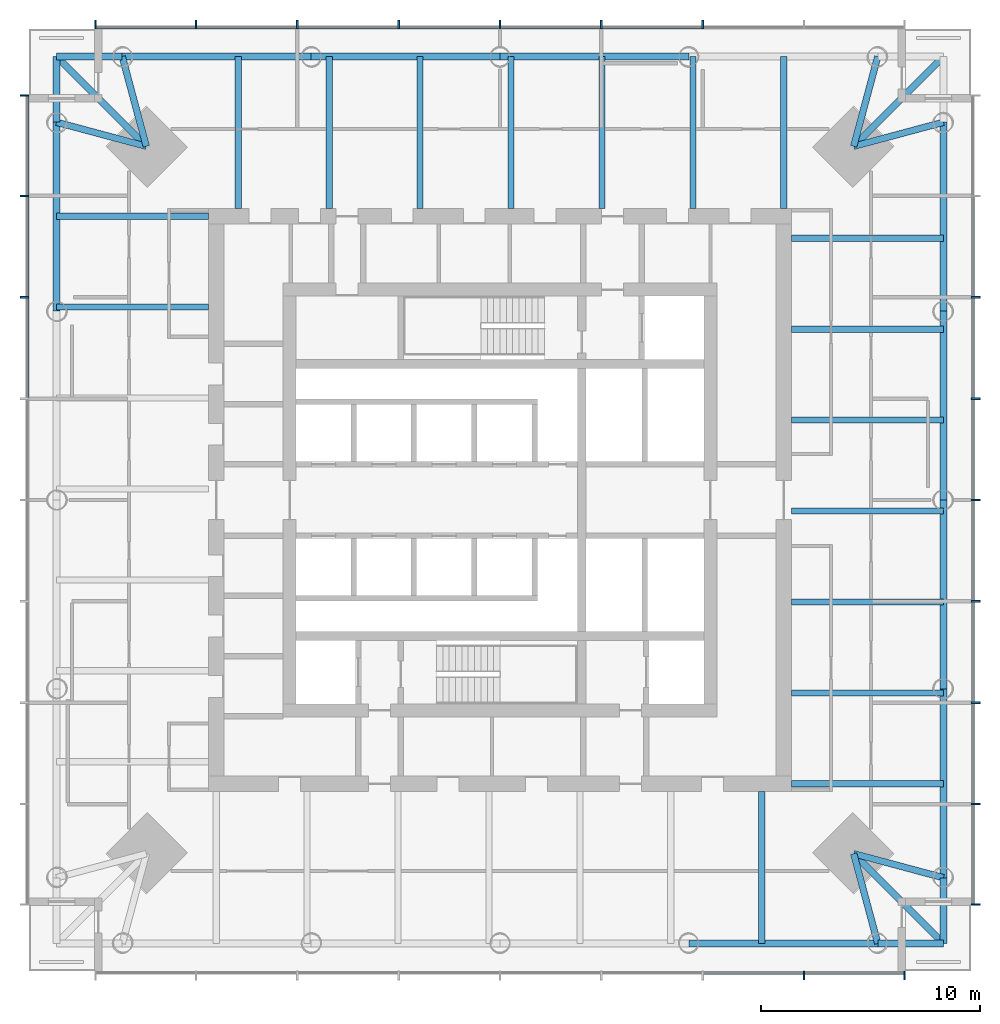
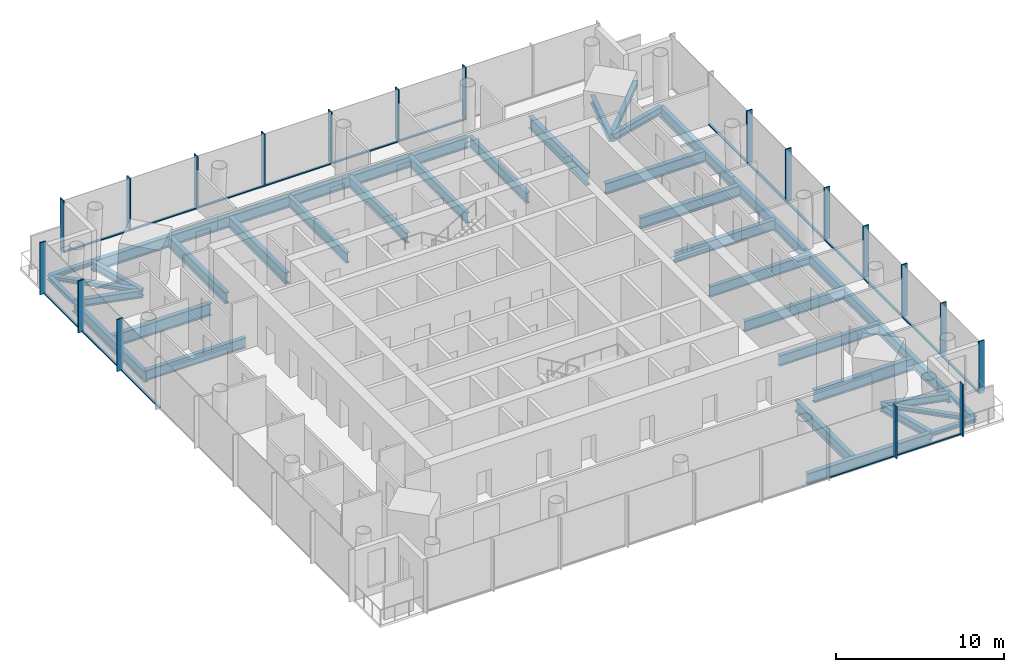
# One storey, part 2 of 9: 39 beams, 37 members, 4 elements without a shape of their own.
"""IFC4 building model written with IfcOpenShell, lengths in metres."""

from ifc_helpers import new_model, si_unit, direction, frame, origin, origin_2d, place, context, subcontext, project, spatial, rectangle, i_section, extrude, material, material_profile, profile_set, type_object, element, aggregate, save


model = new_model("IFC4")

# Units and contexts
model_context = context("Model", 3, precision=1e-05, world=origin(), true_north=direction((0.0, 1.0)))
body_context = subcontext(model_context, "Body", "Model", "MODEL_VIEW")
ifc_project = project(units=[si_unit("LENGTHUNIT", "METRE"), si_unit("AREAUNIT", "SQUARE_METRE"), si_unit("VOLUMEUNIT", "CUBIC_METRE"), si_unit("PLANEANGLEUNIT", "RADIAN"), si_unit("MASSUNIT", "GRAM", prefix="KILO")], contexts=[model_context])

# Site, building, storey
site_placement = place(None, origin())
site = spatial("IfcSite", under=ifc_project, at=site_placement, CompositionType="ELEMENT")
building_placement = place(site_placement, origin())
building = spatial("IfcBuilding", under=site, at=building_placement, Name="Ostroluk Exchange", CompositionType="ELEMENT")
storey_placement = place(building_placement, frame((0.0, 0.0, 138.800048828125)))
storey = spatial("IfcBuildingStorey", under=building, at=storey_placement, Name="L35", CompositionType="ELEMENT", Elevation=138.800048828125)

# Beams
ifc_material_1 = material(Name="Steel S355", Category="steel")
ifc_material_profile_1 = material_profile(ifc_material_1, i_section(OverallWidth=0.300048828125, OverallDepth=0.300048828125, WebThickness=0.010986328125, FlangeThickness=0.01904296875, FilletRadius=0.027099609375, at=origin_2d()), Name="HEB 300")
ifc_profile_set_1 = profile_set([ifc_material_profile_1], Name="Steel S355")
beam_type_1 = type_object("IfcBeamType", Name="Balcony beam HEB 300", PredefinedType="BEAM", material=ifc_profile_set_1)
beam_1_placement = place(storey_placement, frame((61.1357421875, 62.1357421875, -0.330078125), z_axis=(0.707106781187, 0.707106781187, 0.0), x_axis=(-0.707106781187, 0.707106781187, 0.0)))
element("IfcBeam", 1, at=beam_1_placement, inside=storey, type_object=beam_type_1, Name="T1 east balcony beam c", PredefinedType="BEAM", context=body_context, shape_type="SweptSolid", body=[
    extrude(i_section(OverallWidth=0.300048828125, OverallDepth=0.300048828125, WebThickness=0.010986328125, FlangeThickness=0.01904296875, FilletRadius=0.027099609375, at=origin_2d()), origin(), (0.0, 0.0, 1.0), 5.798095703125),
])
for number, where, z_axis, x_axis, name in (
    (2, (27.764404296875, 66.235595703125, -0.330078125), (-1.0, 0.0, 0.0), (0.0, -1.0, 0.0), "T1 north balcony beam a"),
    (3, (24.764404296875, 63.235595703125, -0.330078125), (0.0, 1.0, 0.0), (-1.0, 0.0, 0.0), "T1 north balcony beam b"),
):
    element("IfcBeam", number, at=place(storey_placement, frame(where, z_axis=z_axis, x_axis=x_axis)), inside=storey, type_object=beam_type_1, Name=name, PredefinedType="BEAM", context=body_context, shape_type="SweptSolid", body=[
        extrude(i_section(OverallWidth=0.300048828125, OverallDepth=0.300048828125, WebThickness=0.010986328125, FlangeThickness=0.01904296875, FilletRadius=0.027099609375, at=origin_2d()), origin(), (0.0, 0.0, 1.0), 3.0),
    ])
beam_2_placement = place(storey_placement, frame((28.8642578125, 62.1357421875, -0.330078125), z_axis=(-0.707106781187, 0.707106781187, 0.0), x_axis=(-0.707106781187, -0.707106781187, 0.0)))
element("IfcBeam", 4, at=beam_2_placement, inside=storey, type_object=beam_type_1, Name="T1 north balcony beam c", PredefinedType="BEAM", context=body_context, shape_type="SweptSolid", body=[
    extrude(i_section(OverallWidth=0.300048828125, OverallDepth=0.300048828125, WebThickness=0.010986328125, FlangeThickness=0.01904296875, FilletRadius=0.027099609375, at=origin_2d()), origin(), (0.0, 0.0, 1.0), 5.798095703125),
])
for number, where, z_axis, x_axis, name in (
    (5, (62.235595703125, 25.764404296875, -0.330078125), (1.0, 0.0, 0.0), (0.0, 1.0, 0.0), "T1 south balcony beam a"),
    (6, (65.235595703125, 28.764404296875, -0.330078125), (0.0, -1.0, 0.0), (1.0, 0.0, 0.0), "T1 south balcony beam b"),
):
    element("IfcBeam", number, at=place(storey_placement, frame(where, z_axis=z_axis, x_axis=x_axis)), inside=storey, type_object=beam_type_1, Name=name, PredefinedType="BEAM", context=body_context, shape_type="SweptSolid", body=[
        extrude(i_section(OverallWidth=0.300048828125, OverallDepth=0.300048828125, WebThickness=0.010986328125, FlangeThickness=0.01904296875, FilletRadius=0.027099609375, at=origin_2d()), origin(), (0.0, 0.0, 1.0), 3.0),
    ])
beam_3_placement = place(storey_placement, frame((61.1357421875, 29.8642578125, -0.330078125), z_axis=(0.707106781187, -0.707106781187, 0.0), x_axis=(0.707106781187, 0.707106781187, 0.0)))
element("IfcBeam", 7, at=beam_3_placement, inside=storey, type_object=beam_type_1, Name="T1 south balcony beam c", PredefinedType="BEAM", context=body_context, shape_type="SweptSolid", body=[
    extrude(i_section(OverallWidth=0.300048828125, OverallDepth=0.300048828125, WebThickness=0.010986328125, FlangeThickness=0.01904296875, FilletRadius=0.027099609375, at=origin_2d()), origin(), (0.0, 0.0, 1.0), 5.798095703125),
])
ifc_material_2 = material(Name="Steel S355", Category="steel")
ifc_material_profile_2 = material_profile(ifc_material_2, i_section(OverallWidth=0.300048828125, OverallDepth=0.550048828125, WebThickness=0.014892578125, FlangeThickness=0.029052734375, FilletRadius=0.027099609375, at=origin_2d()), Name="HEB 550")
ifc_profile_set_2 = profile_set([ifc_material_profile_2], Name="Steel S355")
beam_type_2 = type_object("IfcBeamType", Name="Corner edge beam HEB 550", PredefinedType="SPANDREL", material=ifc_profile_set_2)
for number, where, z_axis, x_axis, name in (
    (8, (61.1357421875, 62.1357421875, -0.455078125), (0.965849156574, 0.259105011038, 0.0), (-0.259105011038, 0.965849156574, 0.0), "T1 east corner edge beam a"),
    (9, (61.1357421875, 62.1357421875, -0.455078125), (0.259105011038, 0.965849156574, 0.0), (-0.965849156574, 0.259105011038, 0.0), "T1 east corner edge beam b"),
    (10, (28.8642578125, 62.1357421875, -0.455078125), (-0.259105011038, 0.965849156574, 0.0), (-0.965849156574, -0.259105011038, 0.0), "T1 north corner edge beam a"),
    (11, (28.8642578125, 62.1357421875, -0.455078125), (-0.965849156574, 0.259105011038, 0.0), (-0.259105011038, -0.965849156574, 0.0), "T1 north corner edge beam b"),
    (12, (61.1357421875, 29.8642578125, -0.455078125), (0.259105011038, -0.965849156574, 0.0), (0.965849156574, 0.259105011038, 0.0), "T1 south corner edge beam a"),
    (13, (61.1357421875, 29.8642578125, -0.455078125), (0.965849156574, -0.259105011038, 0.0), (0.259105011038, 0.965849156574, 0.0), "T1 south corner edge beam b"),
):
    element("IfcBeam", number, at=place(storey_placement, frame(where, z_axis=z_axis, x_axis=x_axis)), inside=storey, type_object=beam_type_2, Name=name, PredefinedType="SPANDREL", context=body_context, shape_type="SweptSolid", body=[
        extrude(i_section(OverallWidth=0.300048828125, OverallDepth=0.550048828125, WebThickness=0.014892578125, FlangeThickness=0.029052734375, FilletRadius=0.027099609375, at=origin_2d()), origin(), (0.0, 0.0, 1.0), 4.244873046875),
    ])
ifc_material_3 = material(Name="Steel S355", Category="steel")
ifc_material_profile_3 = material_profile(ifc_material_3, i_section(OverallWidth=0.302978515625, OverallDepth=0.81396484375, WebThickness=0.02099609375, FlangeThickness=0.0400390625, FilletRadius=0.030029296875, at=origin_2d()), Name="HEM 800")
ifc_profile_set_3 = profile_set([ifc_material_profile_3], Name="Steel S355")
beam_type_3 = type_object("IfcBeamType", Name="Floor beam HEM 800", PredefinedType="BEAM", material=ifc_profile_set_3)
for number, where, z_axis, x_axis, name in (
    (14, (58.300048828125, 53.791015625, -0.587158203125), (1.0, 0.0, 0.0), (0.0, 1.0, 0.0), "T1 east floor beam 5"),
    (15, (58.300048828125, 57.939208984375, -0.587158203125), (1.0, 0.0, 0.0), (0.0, 1.0, 0.0), "T1 east floor beam 6"),
    (16, (37.208984375, 59.300048828125, -0.587158203125), (0.0, 1.0, 0.0), (-1.0, 0.0, 0.0), "T1 north floor beam 5"),
    (17, (33.060791015625, 59.300048828125, -0.587158203125), (0.0, 1.0, 0.0), (-1.0, 0.0, 0.0), "T1 north floor beam 6"),
    (18, (56.939208984375, 32.699951171875, -0.587158203125), (0.0, -1.0, 0.0), (1.0, 0.0, 0.0), "T1 south floor beam 6"),
):
    element("IfcBeam", number, at=place(storey_placement, frame(where, z_axis=z_axis, x_axis=x_axis)), inside=storey, type_object=beam_type_3, Name=name, PredefinedType="BEAM", context=body_context, shape_type="SweptSolid", body=[
        extrude(i_section(OverallWidth=0.302978515625, OverallDepth=0.81396484375, WebThickness=0.02099609375, FlangeThickness=0.0400390625, FilletRadius=0.030029296875, at=origin_2d()), origin(), (0.0, 0.0, 1.0), 6.935546875),
    ])
ifc_material_4 = material(Name="Steel S355", Category="steel")
ifc_material_profile_4 = material_profile(ifc_material_4, i_section(OverallWidth=0.26708984375, OverallDepth=0.761962890625, WebThickness=0.014404296875, FlangeThickness=0.021484375, FilletRadius=0.01708984375, at=origin_2d()), Name="IPE 750x173")
ifc_profile_set_4 = profile_set([ifc_material_profile_4], Name="Steel S355")
beam_type_4 = type_object("IfcBeamType", Name="Floor beam IPE 750x173", PredefinedType="BEAM", material=ifc_profile_set_4)
for number, where, z_axis, x_axis, name in (
    (19, (58.300048828125, 37.1982421875, -0.56103515625), (1.0, 0.0, 0.0), (0.0, 1.0, 0.0), "T1 east floor beam 1"),
    (20, (58.300048828125, 41.346435546875, -0.56103515625), (1.0, 0.0, 0.0), (0.0, 1.0, 0.0), "T1 east floor beam 2"),
    (21, (58.300048828125, 45.49462890625, -0.56103515625), (1.0, 0.0, 0.0), (0.0, 1.0, 0.0), "T1 east floor beam 3"),
    (22, (58.300048828125, 49.642822265625, -0.56103515625), (1.0, 0.0, 0.0), (0.0, 1.0, 0.0), "T1 east floor beam 4"),
    (23, (53.8017578125, 59.300048828125, -0.56103515625), (0.0, 1.0, 0.0), (-1.0, 0.0, 0.0), "T1 north floor beam 1"),
    (24, (49.653564453125, 59.300048828125, -0.56103515625), (0.0, 1.0, 0.0), (-1.0, 0.0, 0.0), "T1 north floor beam 2"),
    (25, (45.50537109375, 59.300048828125, -0.56103515625), (0.0, 1.0, 0.0), (-1.0, 0.0, 0.0), "T1 north floor beam 3"),
    (26, (41.357177734375, 59.300048828125, -0.56103515625), (0.0, 1.0, 0.0), (-1.0, 0.0, 0.0), "T1 north floor beam 4"),
    (27, (31.699951171875, 54.8017578125, -0.56103515625), (-1.0, 0.0, 0.0), (0.0, -1.0, 0.0), "T1 west floor beam 1"),
):
    element("IfcBeam", number, at=place(storey_placement, frame(where, z_axis=z_axis, x_axis=x_axis)), inside=storey, type_object=beam_type_4, Name=name, PredefinedType="BEAM", context=body_context, shape_type="SweptSolid", body=[
        extrude(i_section(OverallWidth=0.26708984375, OverallDepth=0.761962890625, WebThickness=0.014404296875, FlangeThickness=0.021484375, FilletRadius=0.01708984375, at=origin_2d()), origin(), (0.0, 0.0, 1.0), 6.935546875),
    ])
ifc_material_5 = material(Name="Steel S355", Category="steel")
ifc_material_profile_5 = material_profile(ifc_material_5, i_section(OverallWidth=0.300048828125, OverallDepth=0.89990234375, WebThickness=0.0185546875, FlangeThickness=0.034912109375, FilletRadius=0.030029296875, at=origin_2d()), Name="HEB 900")
ifc_profile_set_5 = profile_set([ifc_material_profile_5], Name="Steel S355")
beam_type_5 = type_object("IfcBeamType", Name="Girder HEB 900", PredefinedType="BEAM", material=ifc_profile_set_5)
for number, where, z_axis, x_axis, name in (
    (28, (57.949951171875, 59.300048828125, -0.630126953125), (0.0, 1.0, 0.0), (-1.0, 0.0, 0.0), "T1 east girder"),
    (29, (31.699951171875, 58.949951171875, -0.630126953125), (-1.0, 0.0, 0.0), (0.0, -1.0, 0.0), "T1 north girder"),
    (30, (58.300048828125, 33.050048828125, -0.630126953125), (1.0, 0.0, 0.0), (0.0, 1.0, 0.0), "T1 south girder"),
):
    element("IfcBeam", number, at=place(storey_placement, frame(where, z_axis=z_axis, x_axis=x_axis)), inside=storey, type_object=beam_type_5, Name=name, PredefinedType="BEAM", context=body_context, shape_type="SweptSolid", body=[
        extrude(i_section(OverallWidth=0.300048828125, OverallDepth=0.89990234375, WebThickness=0.0185546875, FlangeThickness=0.034912109375, FilletRadius=0.030029296875, at=origin_2d()), origin(), (0.0, 0.0, 1.0), 6.935546875),
    ])
ifc_material_6 = material(Name="Steel S355", Category="steel")
ifc_material_profile_6 = material_profile(ifc_material_6, i_section(OverallWidth=0.300048828125, OverallDepth=0.800048828125, WebThickness=0.017578125, FlangeThickness=0.032958984375, FilletRadius=0.030029296875, at=origin_2d()), Name="HEB 800")
ifc_profile_set_6 = profile_set([ifc_material_profile_6], Name="Steel S355")
beam_type_6 = type_object("IfcBeamType", Name="Moment-connected edge beam HEB 800", PredefinedType="SPANDREL", material=ifc_profile_set_6)
beam_4_placement = place(storey_placement, frame((65.235595703125, 28.764404296875, -0.580078125), z_axis=(0.0, 1.0, 0.0), x_axis=(-1.0, 0.0, 0.0)))
element("IfcBeam", 31, at=beam_4_placement, inside=storey, type_object=beam_type_6, Name="T1 east edge beam 1", PredefinedType="SPANDREL", context=body_context, shape_type="SweptSolid", body=[
    extrude(i_section(OverallWidth=0.300048828125, OverallDepth=0.800048828125, WebThickness=0.017578125, FlangeThickness=0.032958984375, FilletRadius=0.030029296875, at=origin_2d()), origin(), (0.0, 0.0, 1.0), 8.61767578125),
])
for number, where, z_axis, x_axis, name in (
    (32, (65.235595703125, 37.382080078125, -0.580078125), (0.0, 1.0, 0.0), (-1.0, 0.0, 0.0), "T1 east edge beam 2"),
    (33, (65.235595703125, 46.0, -0.580078125), (0.0, 1.0, 0.0), (-1.0, 0.0, 0.0), "T1 east edge beam 3"),
):
    element("IfcBeam", number, at=place(storey_placement, frame(where, z_axis=z_axis, x_axis=x_axis)), inside=storey, type_object=beam_type_6, Name=name, PredefinedType="SPANDREL", context=body_context, shape_type="SweptSolid", body=[
        extrude(i_section(OverallWidth=0.300048828125, OverallDepth=0.800048828125, WebThickness=0.017578125, FlangeThickness=0.032958984375, FilletRadius=0.030029296875, at=origin_2d()), origin(), (0.0, 0.0, 1.0), 8.617919921875),
    ])
beam_5_placement = place(storey_placement, frame((65.235595703125, 54.617919921875, -0.580078125), z_axis=(0.0, 1.0, 0.0), x_axis=(-1.0, 0.0, 0.0)))
element("IfcBeam", 34, at=beam_5_placement, inside=storey, type_object=beam_type_6, Name="T1 east edge beam 4", PredefinedType="SPANDREL", context=body_context, shape_type="SweptSolid", body=[
    extrude(i_section(OverallWidth=0.300048828125, OverallDepth=0.800048828125, WebThickness=0.017578125, FlangeThickness=0.032958984375, FilletRadius=0.030029296875, at=origin_2d()), origin(), (0.0, 0.0, 1.0), 8.61767578125),
])
for number, where, z_axis, x_axis, name in (
    (35, (53.617919921875, 66.235595703125, -0.580078125), (-1.0, 0.0, 0.0), (0.0, -1.0, 0.0), "T1 north edge beam 2"),
    (36, (45.0, 66.235595703125, -0.580078125), (-1.0, 0.0, 0.0), (0.0, -1.0, 0.0), "T1 north edge beam 3"),
):
    element("IfcBeam", number, at=place(storey_placement, frame(where, z_axis=z_axis, x_axis=x_axis)), inside=storey, type_object=beam_type_6, Name=name, PredefinedType="SPANDREL", context=body_context, shape_type="SweptSolid", body=[
        extrude(i_section(OverallWidth=0.300048828125, OverallDepth=0.800048828125, WebThickness=0.017578125, FlangeThickness=0.032958984375, FilletRadius=0.030029296875, at=origin_2d()), origin(), (0.0, 0.0, 1.0), 8.617919921875),
    ])
for number, where, z_axis, x_axis, name in (
    (37, (36.382080078125, 66.235595703125, -0.580078125), (-1.0, 0.0, 0.0), (0.0, -1.0, 0.0), "T1 north edge beam 4"),
    (38, (24.764404296875, 63.235595703125, -0.580078125), (0.0, -1.0, 0.0), (1.0, 0.0, 0.0), "T1 west edge beam 1"),
    (39, (53.617919921875, 25.764404296875, -0.580078125), (1.0, 0.0, 0.0), (0.0, 1.0, 0.0), "T1 south edge beam 4"),
):
    element("IfcBeam", number, at=place(storey_placement, frame(where, z_axis=z_axis, x_axis=x_axis)), inside=storey, type_object=beam_type_6, Name=name, PredefinedType="SPANDREL", context=body_context, shape_type="SweptSolid", body=[
        extrude(i_section(OverallWidth=0.300048828125, OverallDepth=0.800048828125, WebThickness=0.017578125, FlangeThickness=0.032958984375, FilletRadius=0.030029296875, at=origin_2d()), origin(), (0.0, 0.0, 1.0), 8.61767578125),
    ])

# Curtain wall, members
ifc_material_7 = material(Name="Laminated clear glass", Category="glass")
curtain_wall_type = type_object("IfcCurtainWallType", Name="Office tower facade", PredefinedType="USERDEFINED", material=ifc_material_7)
curtain_wall_1_placement = place(storey_placement, origin())
curtain_wall_1 = element("IfcCurtainWall", 40, at=curtain_wall_1_placement, inside=storey, type_object=curtain_wall_type, Name="Office tower south facade L35", ObjectType="UNITISED CURTAIN WALL", PredefinedType="USERDEFINED")
ifc_material_8 = material(Name="Aluminium mullion", Category="aluminium")
ifc_material_profile_7 = material_profile(ifc_material_8, rectangle(XDim=0.14990234375, YDim=0.080078125, at=origin_2d()), Name="Sill transom 80 x 150")
ifc_profile_set_7 = profile_set([ifc_material_profile_7], Name="Aluminium mullion")
member_type_1 = type_object("IfcMemberType", Name="Sill transom 80 x 150", PredefinedType="USERDEFINED", material=ifc_profile_set_7)
member_1_placement = place(storey_placement, frame((54.2900390625, 24.425048828125, 0.0400390625), z_axis=(1.0, 0.0, 0.0), x_axis=(0.0, 1.0, 0.0)))
member_1 = element("IfcMember", 41, at=member_1_placement, type_object=member_type_1, Name="CW-O1 transom 7.1", ObjectType="TRANSOM", PredefinedType="USERDEFINED", context=body_context, shape_type="SweptSolid", body=[
    extrude(rectangle(XDim=0.14990234375, YDim=0.080078125, at=origin_2d()), origin(), (0.0, 0.0, 1.0), 4.544921875),
])
member_2_placement = place(storey_placement, frame((58.9150390625, 24.425048828125, 0.0400390625), z_axis=(1.0, 0.0, 0.0), x_axis=(0.0, 1.0, 0.0)))
member_2 = element("IfcMember", 42, at=member_2_placement, type_object=member_type_1, Name="CW-O1 transom 8.1", ObjectType="TRANSOM", PredefinedType="USERDEFINED", context=body_context, shape_type="SweptSolid", body=[
    extrude(rectangle(XDim=0.14990234375, YDim=0.080078125, at=origin_2d()), origin(), (0.0, 0.0, 1.0), 4.5048828125),
])

curtain_wall_2_placement = place(storey_placement, origin())
curtain_wall_2 = element("IfcCurtainWall", 43, at=curtain_wall_2_placement, inside=storey, type_object=curtain_wall_type, Name="Office tower east facade L35", ObjectType="UNITISED CURTAIN WALL", PredefinedType="USERDEFINED")
member_3_placement = place(storey_placement, frame((66.574951171875, 27.580078125, 0.0400390625), z_axis=(0.0, 1.0, 0.0), x_axis=(-1.0, 0.0, 0.0)))
member_3 = element("IfcMember", 44, at=member_3_placement, type_object=member_type_1, Name="CW-O1 transom 1.1", ObjectType="TRANSOM", PredefinedType="USERDEFINED", context=body_context, shape_type="SweptSolid", body=[
    extrude(rectangle(XDim=0.14990234375, YDim=0.080078125, at=origin_2d()), origin(), (0.0, 0.0, 1.0), 4.5048828125),
])
member_4_placement = place(storey_placement, frame((66.574951171875, 32.1650390625, 0.0400390625), z_axis=(0.0, 1.0, 0.0), x_axis=(-1.0, 0.0, 0.0)))
member_4 = element("IfcMember", 45, at=member_4_placement, type_object=member_type_1, Name="CW-O1 transom 2.1", ObjectType="TRANSOM", PredefinedType="USERDEFINED", context=body_context, shape_type="SweptSolid", body=[
    extrude(rectangle(XDim=0.14990234375, YDim=0.080078125, at=origin_2d()), origin(), (0.0, 0.0, 1.0), 4.544921875),
])
member_5_placement = place(storey_placement, frame((66.574951171875, 36.7900390625, 0.0400390625), z_axis=(0.0, 1.0, 0.0), x_axis=(-1.0, 0.0, 0.0)))
member_5 = element("IfcMember", 46, at=member_5_placement, type_object=member_type_1, Name="CW-O1 transom 3.1", ObjectType="TRANSOM", PredefinedType="USERDEFINED", context=body_context, shape_type="SweptSolid", body=[
    extrude(rectangle(XDim=0.14990234375, YDim=0.080078125, at=origin_2d()), origin(), (0.0, 0.0, 1.0), 4.544921875),
])
member_6_placement = place(storey_placement, frame((66.574951171875, 41.4150390625, 0.0400390625), z_axis=(0.0, 1.0, 0.0), x_axis=(-1.0, 0.0, 0.0)))
member_6 = element("IfcMember", 47, at=member_6_placement, type_object=member_type_1, Name="CW-O1 transom 4.1", ObjectType="TRANSOM", PredefinedType="USERDEFINED", context=body_context, shape_type="SweptSolid", body=[
    extrude(rectangle(XDim=0.14990234375, YDim=0.080078125, at=origin_2d()), origin(), (0.0, 0.0, 1.0), 4.544921875),
])
member_7_placement = place(storey_placement, frame((66.574951171875, 46.0400390625, 0.0400390625), z_axis=(0.0, 1.0, 0.0), x_axis=(-1.0, 0.0, 0.0)))
member_7 = element("IfcMember", 48, at=member_7_placement, type_object=member_type_1, Name="CW-O1 transom 5.1", ObjectType="TRANSOM", PredefinedType="USERDEFINED", context=body_context, shape_type="SweptSolid", body=[
    extrude(rectangle(XDim=0.14990234375, YDim=0.080078125, at=origin_2d()), origin(), (0.0, 0.0, 1.0), 4.544921875),
])
member_8_placement = place(storey_placement, frame((66.574951171875, 50.6650390625, 0.0400390625), z_axis=(0.0, 1.0, 0.0), x_axis=(-1.0, 0.0, 0.0)))
member_8 = element("IfcMember", 49, at=member_8_placement, type_object=member_type_1, Name="CW-O1 transom 6.1", ObjectType="TRANSOM", PredefinedType="USERDEFINED", context=body_context, shape_type="SweptSolid", body=[
    extrude(rectangle(XDim=0.14990234375, YDim=0.080078125, at=origin_2d()), origin(), (0.0, 0.0, 1.0), 4.544921875),
])
member_9_placement = place(storey_placement, frame((66.574951171875, 55.2900390625, 0.0400390625), z_axis=(0.0, 1.0, 0.0), x_axis=(-1.0, 0.0, 0.0)))
member_9 = element("IfcMember", 50, at=member_9_placement, type_object=member_type_1, Name="CW-O1 transom 7.1", ObjectType="TRANSOM", PredefinedType="USERDEFINED", context=body_context, shape_type="SweptSolid", body=[
    extrude(rectangle(XDim=0.14990234375, YDim=0.080078125, at=origin_2d()), origin(), (0.0, 0.0, 1.0), 4.544921875),
])

curtain_wall_3_placement = place(storey_placement, origin())
curtain_wall_3 = element("IfcCurtainWall", 51, at=curtain_wall_3_placement, inside=storey, type_object=curtain_wall_type, Name="Office tower north facade L35", ObjectType="UNITISED CURTAIN WALL", PredefinedType="USERDEFINED")
member_10_placement = place(storey_placement, frame((54.2099609375, 67.574951171875, 0.0400390625), z_axis=(-1.0, 0.0, 0.0), x_axis=(0.0, -1.0, 0.0)))
member_10 = element("IfcMember", 52, at=member_10_placement, type_object=member_type_1, Name="CW-O1 transom 3.1", ObjectType="TRANSOM", PredefinedType="USERDEFINED", context=body_context, shape_type="SweptSolid", body=[
    extrude(rectangle(XDim=0.14990234375, YDim=0.080078125, at=origin_2d()), origin(), (0.0, 0.0, 1.0), 4.544921875),
])
member_11_placement = place(storey_placement, frame((49.5849609375, 67.574951171875, 0.0400390625), z_axis=(-1.0, 0.0, 0.0), x_axis=(0.0, -1.0, 0.0)))
member_11 = element("IfcMember", 53, at=member_11_placement, type_object=member_type_1, Name="CW-O1 transom 4.1", ObjectType="TRANSOM", PredefinedType="USERDEFINED", context=body_context, shape_type="SweptSolid", body=[
    extrude(rectangle(XDim=0.14990234375, YDim=0.080078125, at=origin_2d()), origin(), (0.0, 0.0, 1.0), 4.544921875),
])
member_12_placement = place(storey_placement, frame((44.9599609375, 67.574951171875, 0.0400390625), z_axis=(-1.0, 0.0, 0.0), x_axis=(0.0, -1.0, 0.0)))
member_12 = element("IfcMember", 54, at=member_12_placement, type_object=member_type_1, Name="CW-O1 transom 5.1", ObjectType="TRANSOM", PredefinedType="USERDEFINED", context=body_context, shape_type="SweptSolid", body=[
    extrude(rectangle(XDim=0.14990234375, YDim=0.080078125, at=origin_2d()), origin(), (0.0, 0.0, 1.0), 4.544921875),
])
member_13_placement = place(storey_placement, frame((40.3349609375, 67.574951171875, 0.0400390625), z_axis=(-1.0, 0.0, 0.0), x_axis=(0.0, -1.0, 0.0)))
member_13 = element("IfcMember", 55, at=member_13_placement, type_object=member_type_1, Name="CW-O1 transom 6.1", ObjectType="TRANSOM", PredefinedType="USERDEFINED", context=body_context, shape_type="SweptSolid", body=[
    extrude(rectangle(XDim=0.14990234375, YDim=0.080078125, at=origin_2d()), origin(), (0.0, 0.0, 1.0), 4.544921875),
])
member_14_placement = place(storey_placement, frame((35.7099609375, 67.574951171875, 0.0400390625), z_axis=(-1.0, 0.0, 0.0), x_axis=(0.0, -1.0, 0.0)))
member_14 = element("IfcMember", 56, at=member_14_placement, type_object=member_type_1, Name="CW-O1 transom 7.1", ObjectType="TRANSOM", PredefinedType="USERDEFINED", context=body_context, shape_type="SweptSolid", body=[
    extrude(rectangle(XDim=0.14990234375, YDim=0.080078125, at=origin_2d()), origin(), (0.0, 0.0, 1.0), 4.544921875),
])
member_15_placement = place(storey_placement, frame((31.0849609375, 67.574951171875, 0.0400390625), z_axis=(-1.0, 0.0, 0.0), x_axis=(0.0, -1.0, 0.0)))
member_15 = element("IfcMember", 57, at=member_15_placement, type_object=member_type_1, Name="CW-O1 transom 8.1", ObjectType="TRANSOM", PredefinedType="USERDEFINED", context=body_context, shape_type="SweptSolid", body=[
    extrude(rectangle(XDim=0.14990234375, YDim=0.080078125, at=origin_2d()), origin(), (0.0, 0.0, 1.0), 4.5048828125),
])

curtain_wall_4_placement = place(storey_placement, origin())
curtain_wall_4 = element("IfcCurtainWall", 58, at=curtain_wall_4_placement, inside=storey, type_object=curtain_wall_type, Name="Office tower west facade L35", ObjectType="UNITISED CURTAIN WALL", PredefinedType="USERDEFINED")
member_16_placement = place(storey_placement, frame((23.425048828125, 64.419921875, 0.0400390625), z_axis=(0.0, -1.0, 0.0), x_axis=(1.0, 0.0, 0.0)))
member_16 = element("IfcMember", 59, at=member_16_placement, type_object=member_type_1, Name="CW-O1 transom 1.1", ObjectType="TRANSOM", PredefinedType="USERDEFINED", context=body_context, shape_type="SweptSolid", body=[
    extrude(rectangle(XDim=0.14990234375, YDim=0.080078125, at=origin_2d()), origin(), (0.0, 0.0, 1.0), 4.5048828125),
])
member_17_placement = place(storey_placement, frame((23.425048828125, 59.8349609375, 0.0400390625), z_axis=(0.0, -1.0, 0.0), x_axis=(1.0, 0.0, 0.0)))
member_17 = element("IfcMember", 60, at=member_17_placement, type_object=member_type_1, Name="CW-O1 transom 2.1", ObjectType="TRANSOM", PredefinedType="USERDEFINED", context=body_context, shape_type="SweptSolid", body=[
    extrude(rectangle(XDim=0.14990234375, YDim=0.080078125, at=origin_2d()), origin(), (0.0, 0.0, 1.0), 4.544921875),
])
member_18_placement = place(storey_placement, frame((23.425048828125, 55.2099609375, 0.0400390625), z_axis=(0.0, -1.0, 0.0), x_axis=(1.0, 0.0, 0.0)))
member_18 = element("IfcMember", 61, at=member_18_placement, type_object=member_type_1, Name="CW-O1 transom 3.1", ObjectType="TRANSOM", PredefinedType="USERDEFINED", context=body_context, shape_type="SweptSolid", body=[
    extrude(rectangle(XDim=0.14990234375, YDim=0.080078125, at=origin_2d()), origin(), (0.0, 0.0, 1.0), 4.544921875),
])

# Member
ifc_material_9 = material(Name="Aluminium mullion with limestone facing", Category="masonry")
ifc_material_profile_8 = material_profile(ifc_material_9, rectangle(XDim=0.39990234375, YDim=0.080078125, at=origin_2d()), Name="Tracery mullion 80 x 400")
ifc_profile_set_8 = profile_set([ifc_material_profile_8], Name="Aluminium mullion with limestone facing")
member_type_2 = type_object("IfcMemberType", Name="Tracery mullion 80 x 400", PredefinedType="MULLION", material=ifc_profile_set_8)
member_19_placement = place(storey_placement, frame((58.875, 24.300048828125, 0.0), z_axis=(0.0, 0.0, 1.0), x_axis=(0.0, 1.0, 0.0)))
member_19 = element("IfcMember", 62, at=member_19_placement, type_object=member_type_2, Name="CW-O1 mullion 8", PredefinedType="MULLION", context=body_context, shape_type="SweptSolid", body=[
    extrude(rectangle(XDim=0.39990234375, YDim=0.080078125, at=origin_2d()), origin(), (0.0, 0.0, 1.0), 3.800048828125),
])

member_20_placement = place(storey_placement, frame((63.4599609375, 24.300048828125, 0.0), z_axis=(0.0, 0.0, 1.0), x_axis=(0.0, 1.0, 0.0)))
member_20 = element("IfcMember", 63, at=member_20_placement, type_object=member_type_2, Name="CW-O1 mullion 9", PredefinedType="MULLION", context=body_context, shape_type="SweptSolid", body=[
    extrude(rectangle(XDim=0.39990234375, YDim=0.080078125, at=origin_2d()), origin(), (0.0, 0.0, 1.0), 3.800048828125),
])

aggregate(curtain_wall_1, [member_19, member_20, member_1, member_2])

member_21_placement = place(storey_placement, frame((66.699951171875, 27.5400390625, 0.0), z_axis=(0.0, 0.0, 1.0), x_axis=(-1.0, 0.0, 0.0)))
member_21 = element("IfcMember", 64, at=member_21_placement, type_object=member_type_2, Name="CW-O1 mullion 1", PredefinedType="MULLION", context=body_context, shape_type="SweptSolid", body=[
    extrude(rectangle(XDim=0.39990234375, YDim=0.080078125, at=origin_2d()), origin(), (0.0, 0.0, 1.0), 3.800048828125),
])

member_22_placement = place(storey_placement, frame((66.699951171875, 32.125, 0.0), z_axis=(0.0, 0.0, 1.0), x_axis=(-1.0, 0.0, 0.0)))
member_22 = element("IfcMember", 65, at=member_22_placement, type_object=member_type_2, Name="CW-O1 mullion 2", PredefinedType="MULLION", context=body_context, shape_type="SweptSolid", body=[
    extrude(rectangle(XDim=0.39990234375, YDim=0.080078125, at=origin_2d()), origin(), (0.0, 0.0, 1.0), 3.800048828125),
])

member_23_placement = place(storey_placement, frame((66.699951171875, 36.75, 0.0), z_axis=(0.0, 0.0, 1.0), x_axis=(-1.0, 0.0, 0.0)))
member_23 = element("IfcMember", 66, at=member_23_placement, type_object=member_type_2, Name="CW-O1 mullion 3", PredefinedType="MULLION", context=body_context, shape_type="SweptSolid", body=[
    extrude(rectangle(XDim=0.39990234375, YDim=0.080078125, at=origin_2d()), origin(), (0.0, 0.0, 1.0), 3.800048828125),
])

member_24_placement = place(storey_placement, frame((66.699951171875, 41.375, 0.0), z_axis=(0.0, 0.0, 1.0), x_axis=(-1.0, 0.0, 0.0)))
member_24 = element("IfcMember", 67, at=member_24_placement, type_object=member_type_2, Name="CW-O1 mullion 4", PredefinedType="MULLION", context=body_context, shape_type="SweptSolid", body=[
    extrude(rectangle(XDim=0.39990234375, YDim=0.080078125, at=origin_2d()), origin(), (0.0, 0.0, 1.0), 3.800048828125),
])

member_25_placement = place(storey_placement, frame((66.699951171875, 46.0, 0.0), z_axis=(0.0, 0.0, 1.0), x_axis=(-1.0, 0.0, 0.0)))
member_25 = element("IfcMember", 68, at=member_25_placement, type_object=member_type_2, Name="CW-O1 mullion 5", PredefinedType="MULLION", context=body_context, shape_type="SweptSolid", body=[
    extrude(rectangle(XDim=0.39990234375, YDim=0.080078125, at=origin_2d()), origin(), (0.0, 0.0, 1.0), 3.800048828125),
])

member_26_placement = place(storey_placement, frame((66.699951171875, 50.625, 0.0), z_axis=(0.0, 0.0, 1.0), x_axis=(-1.0, 0.0, 0.0)))
member_26 = element("IfcMember", 69, at=member_26_placement, type_object=member_type_2, Name="CW-O1 mullion 6", PredefinedType="MULLION", context=body_context, shape_type="SweptSolid", body=[
    extrude(rectangle(XDim=0.39990234375, YDim=0.080078125, at=origin_2d()), origin(), (0.0, 0.0, 1.0), 3.800048828125),
])

member_27_placement = place(storey_placement, frame((66.699951171875, 55.25, 0.0), z_axis=(0.0, 0.0, 1.0), x_axis=(-1.0, 0.0, 0.0)))
member_27 = element("IfcMember", 70, at=member_27_placement, type_object=member_type_2, Name="CW-O1 mullion 7", PredefinedType="MULLION", context=body_context, shape_type="SweptSolid", body=[
    extrude(rectangle(XDim=0.39990234375, YDim=0.080078125, at=origin_2d()), origin(), (0.0, 0.0, 1.0), 3.800048828125),
])

aggregate(curtain_wall_2, [member_21, member_22, member_23, member_24, member_25, member_26, member_27, member_3, member_4, member_5, member_6, member_7, member_8, member_9])

member_28_placement = place(storey_placement, frame((54.25, 67.699951171875, 0.0), z_axis=(0.0, 0.0, 1.0), x_axis=(0.0, -1.0, 0.0)))
member_28 = element("IfcMember", 71, at=member_28_placement, type_object=member_type_2, Name="CW-O1 mullion 3", PredefinedType="MULLION", context=body_context, shape_type="SweptSolid", body=[
    extrude(rectangle(XDim=0.39990234375, YDim=0.080078125, at=origin_2d()), origin(), (0.0, 0.0, 1.0), 3.800048828125),
])

member_29_placement = place(storey_placement, frame((49.625, 67.699951171875, 0.0), z_axis=(0.0, 0.0, 1.0), x_axis=(0.0, -1.0, 0.0)))
member_29 = element("IfcMember", 72, at=member_29_placement, type_object=member_type_2, Name="CW-O1 mullion 4", PredefinedType="MULLION", context=body_context, shape_type="SweptSolid", body=[
    extrude(rectangle(XDim=0.39990234375, YDim=0.080078125, at=origin_2d()), origin(), (0.0, 0.0, 1.0), 3.800048828125),
])

member_30_placement = place(storey_placement, frame((45.0, 67.699951171875, 0.0), z_axis=(0.0, 0.0, 1.0), x_axis=(0.0, -1.0, 0.0)))
member_30 = element("IfcMember", 73, at=member_30_placement, type_object=member_type_2, Name="CW-O1 mullion 5", PredefinedType="MULLION", context=body_context, shape_type="SweptSolid", body=[
    extrude(rectangle(XDim=0.39990234375, YDim=0.080078125, at=origin_2d()), origin(), (0.0, 0.0, 1.0), 3.800048828125),
])

member_31_placement = place(storey_placement, frame((40.375, 67.699951171875, 0.0), z_axis=(0.0, 0.0, 1.0), x_axis=(0.0, -1.0, 0.0)))
member_31 = element("IfcMember", 74, at=member_31_placement, type_object=member_type_2, Name="CW-O1 mullion 6", PredefinedType="MULLION", context=body_context, shape_type="SweptSolid", body=[
    extrude(rectangle(XDim=0.39990234375, YDim=0.080078125, at=origin_2d()), origin(), (0.0, 0.0, 1.0), 3.800048828125),
])

member_32_placement = place(storey_placement, frame((35.75, 67.699951171875, 0.0), z_axis=(0.0, 0.0, 1.0), x_axis=(0.0, -1.0, 0.0)))
member_32 = element("IfcMember", 75, at=member_32_placement, type_object=member_type_2, Name="CW-O1 mullion 7", PredefinedType="MULLION", context=body_context, shape_type="SweptSolid", body=[
    extrude(rectangle(XDim=0.39990234375, YDim=0.080078125, at=origin_2d()), origin(), (0.0, 0.0, 1.0), 3.800048828125),
])

member_33_placement = place(storey_placement, frame((31.125, 67.699951171875, 0.0), z_axis=(0.0, 0.0, 1.0), x_axis=(0.0, -1.0, 0.0)))
member_33 = element("IfcMember", 76, at=member_33_placement, type_object=member_type_2, Name="CW-O1 mullion 8", PredefinedType="MULLION", context=body_context, shape_type="SweptSolid", body=[
    extrude(rectangle(XDim=0.39990234375, YDim=0.080078125, at=origin_2d()), origin(), (0.0, 0.0, 1.0), 3.800048828125),
])

member_34_placement = place(storey_placement, frame((26.5400390625, 67.699951171875, 0.0), z_axis=(0.0, 0.0, 1.0), x_axis=(0.0, -1.0, 0.0)))
member_34 = element("IfcMember", 77, at=member_34_placement, type_object=member_type_2, Name="CW-O1 mullion 9", PredefinedType="MULLION", context=body_context, shape_type="SweptSolid", body=[
    extrude(rectangle(XDim=0.39990234375, YDim=0.080078125, at=origin_2d()), origin(), (0.0, 0.0, 1.0), 3.800048828125),
])

aggregate(curtain_wall_3, [member_28, member_29, member_30, member_31, member_32, member_33, member_34, member_10, member_11, member_12, member_13, member_14, member_15])

member_35_placement = place(storey_placement, frame((23.300048828125, 64.4599609375, 0.0), z_axis=(0.0, 0.0, 1.0), x_axis=(1.0, 0.0, 0.0)))
member_35 = element("IfcMember", 78, at=member_35_placement, type_object=member_type_2, Name="CW-O1 mullion 1", PredefinedType="MULLION", context=body_context, shape_type="SweptSolid", body=[
    extrude(rectangle(XDim=0.39990234375, YDim=0.080078125, at=origin_2d()), origin(), (0.0, 0.0, 1.0), 3.800048828125),
])

member_36_placement = place(storey_placement, frame((23.300048828125, 59.875, 0.0), z_axis=(0.0, 0.0, 1.0), x_axis=(1.0, 0.0, 0.0)))
member_36 = element("IfcMember", 79, at=member_36_placement, type_object=member_type_2, Name="CW-O1 mullion 2", PredefinedType="MULLION", context=body_context, shape_type="SweptSolid", body=[
    extrude(rectangle(XDim=0.39990234375, YDim=0.080078125, at=origin_2d()), origin(), (0.0, 0.0, 1.0), 3.800048828125),
])

member_37_placement = place(storey_placement, frame((23.300048828125, 55.25, 0.0), z_axis=(0.0, 0.0, 1.0), x_axis=(1.0, 0.0, 0.0)))
member_37 = element("IfcMember", 80, at=member_37_placement, type_object=member_type_2, Name="CW-O1 mullion 3", PredefinedType="MULLION", context=body_context, shape_type="SweptSolid", body=[
    extrude(rectangle(XDim=0.39990234375, YDim=0.080078125, at=origin_2d()), origin(), (0.0, 0.0, 1.0), 3.800048828125),
])

aggregate(curtain_wall_4, [member_35, member_36, member_37, member_16, member_17, member_18])

save(model, "model.ifc")
